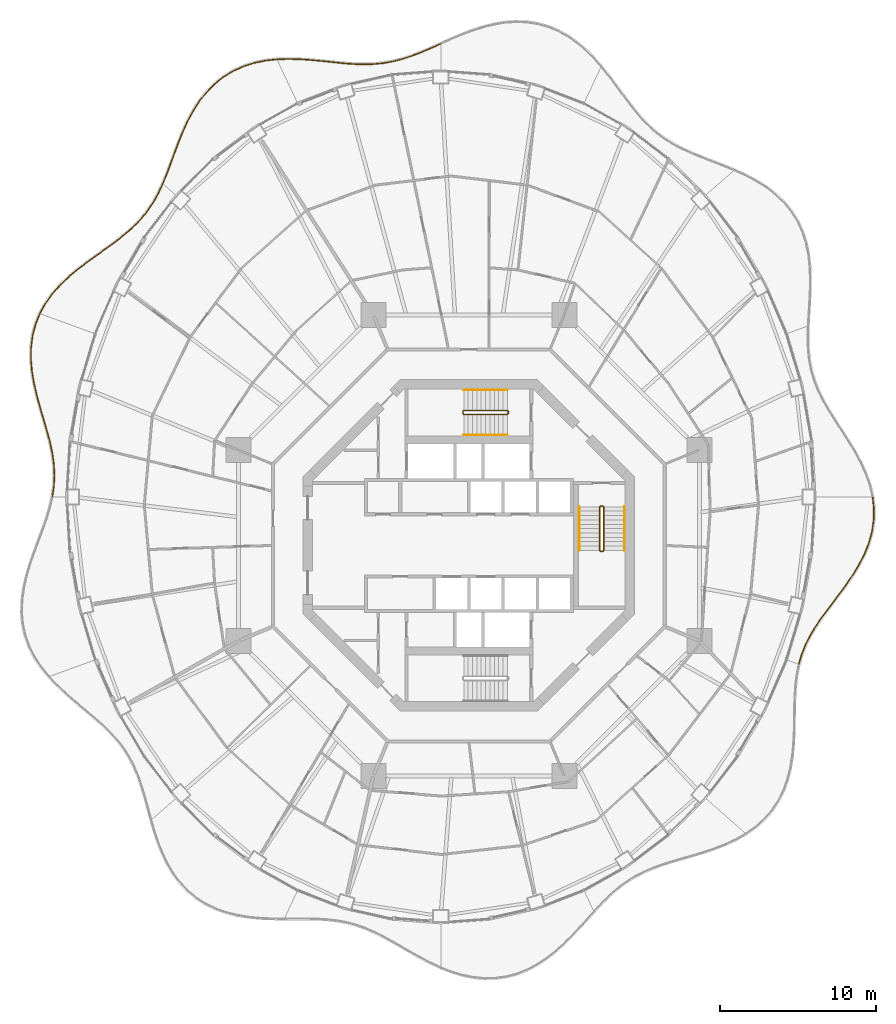
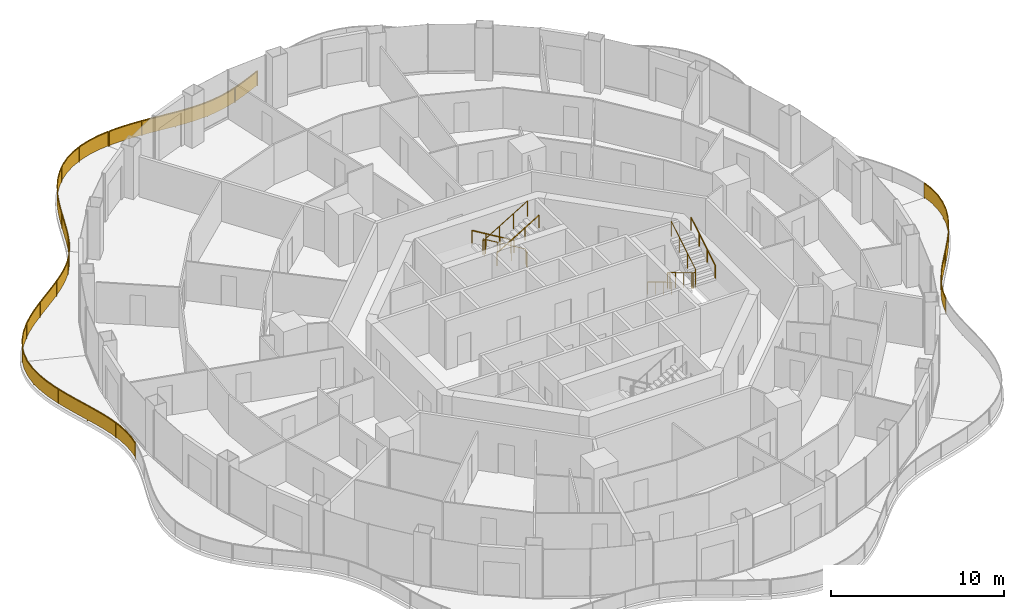
# One storey, part 17 of 18: 11 railings.
"""IFC4 building model written with IfcOpenShell, lengths in metres."""

from ifc_helpers import new_model, si_unit, direction, frame, origin, origin_2d, place, context, subcontext, project, spatial, polyline, rectangle, circle, outline, extrude, material, type_object, element, save


model = new_model("IFC4")

# Units and contexts
model_context = context("Model", 3, precision=1e-05, world=origin(), true_north=direction((0.0, 1.0)))
body_context = subcontext(model_context, "Body", "Model", "MODEL_VIEW")
ifc_project = project(units=[si_unit("LENGTHUNIT", "METRE"), si_unit("AREAUNIT", "SQUARE_METRE"), si_unit("VOLUMEUNIT", "CUBIC_METRE"), si_unit("PLANEANGLEUNIT", "RADIAN"), si_unit("MASSUNIT", "GRAM", prefix="KILO")], contexts=[model_context])

# Site, building, storey
site_placement = place(None, origin())
site = spatial("IfcSite", under=ifc_project, at=site_placement, CompositionType="ELEMENT")
building_placement = place(site_placement, origin())
building = spatial("IfcBuilding", under=site, at=building_placement, Name="Nagisa Residences", CompositionType="ELEMENT")
storey_placement = place(building_placement, frame((0.0, 0.0, 241.800048828125)))
storey = spatial("IfcBuildingStorey", under=building, at=storey_placement, Name="L61", CompositionType="ELEMENT", Elevation=241.800048828125)

# Railings
ifc_material_1 = material(Name="Stainless steel 316", Category="steel")
railing_type_1 = type_object("IfcRailingType", Name="BALCONY GUARD 1100", PredefinedType="BALUSTRADE", material=ifc_material_1)
railing_1_placement = place(storey_placement, frame((-1.833984375, 32.159423828125, 0.0)))
element("IfcRailing", 1, at=railing_1_placement, inside=storey, type_object=railing_type_1, Name="guard:L61:bal04-0", PredefinedType="BALUSTRADE", context=body_context, shape_type="SweptSolid", body=[
    extrude(outline(polyline([(-0.584716796875, -0.290283203125), (0.01025390625, -0.022705078125), (-0.01025390625, 0.022705078125), (-0.604736328125, -0.244384765625), (-1.227783203125, -0.509521484375), (-1.839599609375, -0.745361328125), (-2.4453125, -0.943603515625), (-3.04931640625, -1.097900390625), (-3.639404296875, -1.203369140625), (-4.256103515625, -1.265380859375), (-4.885986328125, -1.28369140625), (-5.532958984375, -1.26513671875), (-6.198486328125, -1.217529296875), (-6.86669921875, -1.145751953125), (-7.570068359375, -1.072509765625), (-8.28857421875, -1.005126953125), (-9.017333984375, -0.956787109375), (-9.751220703125, -0.93994140625), (-10.434814453125, -0.96240234375), (-10.433349609375, -1.01220703125), (-9.750732421875, -0.990234375), (-9.019775390625, -1.006591796875), (-8.29248046875, -1.054931640625), (-7.574951171875, -1.122314453125), (-6.8720703125, -1.195556640625), (-6.202880859375, -1.267333984375), (-5.535400390625, -1.31494140625), (-4.885986328125, -1.333984375), (-4.252685546875, -1.315185546875), (-3.632568359375, -1.253173828125), (-3.03857421875, -1.146728515625), (-2.43115234375, -0.991455078125), (-1.822998046875, -0.792724609375), (-1.208740234375, -0.555908203125), (-0.584716796875, -0.290283203125)])), frame((0.0, 0.0, 1.050048828125)), (0.0, 0.0, 1.0), 0.050048828125),
    extrude(outline(polyline([(-0.592041015625, -0.273681640625), (0.0029296875, -0.00634765625), (-0.0029296875, 0.00634765625), (-0.597412109375, -0.260986328125), (-1.220947265625, -0.526123046875), (-1.833740234375, -0.762451171875), (-2.440185546875, -0.960693359375), (-3.04541015625, -1.115478515625), (-3.636962890625, -1.221435546875), (-4.2548828125, -1.283203125), (-4.885986328125, -1.3017578125), (-5.533935546875, -1.282958984375), (-6.199951171875, -1.2353515625), (-6.86865234375, -1.16357421875), (-7.57177734375, -1.09033203125), (-8.2900390625, -1.02294921875), (-9.018310546875, -0.974609375), (-9.7509765625, -0.9580078125), (-10.434326171875, -0.980224609375), (-10.433837890625, -0.994384765625), (-9.7509765625, -0.97216796875), (-9.018798828125, -0.98876953125), (-8.291015625, -1.037109375), (-7.5732421875, -1.1044921875), (-6.8701171875, -1.177734375), (-6.201416015625, -1.24951171875), (-5.534423828125, -1.297119140625), (-4.885986328125, -1.31591796875), (-4.25390625, -1.29736328125), (-3.635009765625, -1.235107421875), (-3.04248046875, -1.129150390625), (-2.436279296875, -0.974365234375), (-1.828857421875, -0.775634765625), (-1.215576171875, -0.539306640625), (-0.592041015625, -0.273681640625)])), frame((0.0, 0.0, 0.06005859375)), (0.0, 0.0, 1.0), 0.989990234375),
    extrude(rectangle(XDim=0.0400390625, YDim=0.0400390625, at=origin_2d()), origin(), (0.0, 0.0, 1.0), 1.050048828125),
    extrude(rectangle(XDim=0.0400390625, YDim=0.0400390625, at=origin_2d()), frame((-1.970947265625, -0.814697265625, 0.0)), (0.0, 0.0, 1.0), 1.050048828125),
    extrude(rectangle(XDim=0.0400390625, YDim=0.0400390625, at=origin_2d()), frame((-4.04931640625, -1.269775390625, 0.0)), (0.0, 0.0, 1.0), 1.050048828125),
    extrude(rectangle(XDim=0.0400390625, YDim=0.0400390625, at=origin_2d()), frame((-6.1796875, -1.243896484375, 0.0)), (0.0, 0.0, 1.0), 1.050048828125),
    extrude(rectangle(XDim=0.0400390625, YDim=0.0400390625, at=origin_2d()), frame((-8.302490234375, -1.029296875, 0.0)), (0.0, 0.0, 1.0), 1.050048828125),
    extrude(rectangle(XDim=0.0400390625, YDim=0.0400390625, at=origin_2d()), frame((-10.43408203125, -0.9873046875, 0.0)), (0.0, 0.0, 1.0), 1.050048828125),
])
railing_2_placement = place(storey_placement, frame((-12.34521484375, 31.16748046875, 0.0)))
element("IfcRailing", 2, at=railing_2_placement, inside=storey, type_object=railing_type_1, Name="guard:L61:bal05-0", PredefinedType="BALUSTRADE", context=body_context, shape_type="SweptSolid", body=[
    extrude(outline(polyline([(-0.69580078125, -0.100830078125), (0.002685546875, -0.02490234375), (-0.002685546875, 0.02490234375), (-0.70361328125, -0.051513671875), (-1.431396484375, -0.202392578125), (-2.1298828125, -0.426025390625), (-2.790771484375, -0.725830078125), (-3.40478515625, -1.100341796875), (-3.95947265625, -1.5419921875), (-4.47265625, -2.05810546875), (-4.931640625, -2.63330078125), (-5.33837890625, -3.256591796875), (-5.697021484375, -3.917236328125), (-6.002197265625, -4.59130859375), (-6.286376953125, -5.28759765625), (-6.54833984375, -5.983642578125), (-6.79833984375, -6.66845703125), (-7.048583984375, -7.332763671875), (-7.292236328125, -7.92919921875), (-7.245849609375, -7.9482421875), (-7.002197265625, -7.350830078125), (-6.75146484375, -6.68603515625), (-6.50146484375, -6.001220703125), (-6.239990234375, -5.3056640625), (-5.956298828125, -4.611328125), (-5.652099609375, -3.939697265625), (-5.29541015625, -3.282470703125), (-4.89111328125, -2.66259765625), (-4.43505859375, -2.09130859375), (-3.92626953125, -1.5791015625), (-3.3759765625, -1.141357421875), (-2.767333984375, -0.770263671875), (-2.11181640625, -0.472900390625), (-1.418701171875, -0.250732421875), (-0.69580078125, -0.100830078125)])), frame((0.0, 0.0, 1.050048828125)), (0.0, 0.0, 1.0), 0.050048828125),
    extrude(outline(polyline([(-0.69873046875, -0.0830078125), (0.000732421875, -0.007080078125), (-0.000732421875, 0.007080078125), (-0.70068359375, -0.0693359375), (-1.4267578125, -0.2197265625), (-2.123291015625, -0.44287109375), (-2.7822265625, -0.741943359375), (-3.394287109375, -1.114990234375), (-3.947509765625, -1.555419921875), (-4.458984375, -2.070068359375), (-4.9169921875, -2.643798828125), (-5.322998046875, -3.265869140625), (-5.680908203125, -3.92529296875), (-5.985595703125, -4.5986328125), (-6.269775390625, -5.294189453125), (-6.531494140625, -5.989990234375), (-6.781494140625, -6.6748046875), (-7.031982421875, -7.33935546875), (-7.275634765625, -7.93603515625), (-7.262451171875, -7.94140625), (-7.018798828125, -7.34423828125), (-6.768310546875, -6.6796875), (-6.518310546875, -5.994873046875), (-6.256591796875, -5.299072265625), (-5.972900390625, -4.60400390625), (-5.668212890625, -3.931640625), (-5.310791015625, -3.273193359375), (-4.90576171875, -2.652099609375), (-4.44873046875, -2.079345703125), (-3.938232421875, -1.565673828125), (-3.386474609375, -1.126708984375), (-2.77587890625, -0.754150390625), (-2.118408203125, -0.4560546875), (-1.42333984375, -0.2333984375), (-0.69873046875, -0.0830078125)])), frame((0.0, 0.0, 0.06005859375)), (0.0, 0.0, 1.0), 0.989990234375),
    extrude(rectangle(XDim=0.0400390625, YDim=0.0400390625, at=origin_2d()), origin(), (0.0, 0.0, 1.0), 1.050048828125),
    extrude(rectangle(XDim=0.0400390625, YDim=0.0400390625, at=origin_2d()), frame((-2.25048828125, -0.50830078125, 0.0)), (0.0, 0.0, 1.0), 1.050048828125),
    extrude(rectangle(XDim=0.0400390625, YDim=0.0400390625, at=origin_2d()), frame((-4.164794921875, -1.783935546875, 0.0)), (0.0, 0.0, 1.0), 1.050048828125),
    extrude(rectangle(XDim=0.0400390625, YDim=0.0400390625, at=origin_2d()), frame((-5.52294921875, -3.64892578125, 0.0)), (0.0, 0.0, 1.0), 1.050048828125),
    extrude(rectangle(XDim=0.0400390625, YDim=0.0400390625, at=origin_2d()), frame((-6.442626953125, -5.77392578125, 0.0)), (0.0, 0.0, 1.0), 1.050048828125),
    extrude(rectangle(XDim=0.0400390625, YDim=0.0400390625, at=origin_2d()), frame((-7.26904296875, -7.938720703125, 0.0)), (0.0, 0.0, 1.0), 1.050048828125),
])
railing_3_placement = place(storey_placement, frame((-19.6416015625, 23.161376953125, 0.0)))
element("IfcRailing", 3, at=railing_3_placement, inside=storey, type_object=railing_type_1, Name="guard:L61:bal06-0", PredefinedType="BALUSTRADE", context=body_context, shape_type="SweptSolid", body=[
    extrude(outline(polyline([(-0.257080078125, -0.60546875), (0.022705078125, -0.0107421875), (-0.022705078125, 0.0107421875), (-0.301513671875, -0.58251953125), (-0.634033203125, -1.174560546875), (-1.00927734375, -1.7275390625), (-1.43212890625, -2.243896484375), (-1.904541015625, -2.728759765625), (-2.416259765625, -3.1767578125), (-2.97900390625, -3.621826171875), (-3.575927734375, -4.060546875), (-4.195068359375, -4.502685546875), (-4.82275390625, -4.957275390625), (-5.43701171875, -5.419921875), (-6.034912109375, -5.923828125), (-6.59326171875, -6.460693359375), (-7.09765625, -7.0341796875), (-7.535400390625, -7.6455078125), (-7.872802734375, -8.25146484375), (-7.828857421875, -8.27587890625), (-7.492919921875, -7.67236328125), (-7.05859375, -7.0654296875), (-6.55712890625, -6.495361328125), (-6.001220703125, -5.9609375), (-5.40576171875, -5.458984375), (-4.79296875, -4.997314453125), (-4.165771484375, -4.543212890625), (-3.546630859375, -4.10107421875), (-2.94873046875, -3.661865234375), (-2.384033203125, -3.21533203125), (-1.869873046875, -2.764892578125), (-1.39453125, -2.277099609375), (-0.96923828125, -1.75732421875), (-0.591552734375, -1.200927734375), (-0.257080078125, -0.60546875)])), frame((0.0, 0.0, 1.050048828125)), (0.0, 0.0, 1.0), 0.050048828125),
    extrude(outline(polyline([(-0.27294921875, -0.59716796875), (0.00634765625, -0.0029296875), (-0.00634765625, 0.0029296875), (-0.28564453125, -0.5908203125), (-0.61865234375, -1.18408203125), (-0.994873046875, -1.73828125), (-1.41845703125, -2.255859375), (-1.89208984375, -2.74169921875), (-2.404541015625, -3.190673828125), (-2.968017578125, -3.63623046875), (-3.5654296875, -4.0751953125), (-4.1845703125, -4.517333984375), (-4.81201171875, -4.9716796875), (-5.42578125, -5.43408203125), (-6.022705078125, -5.937255859375), (-6.580322265625, -6.47314453125), (-7.08349609375, -7.04541015625), (-7.52001953125, -7.6552734375), (-7.85693359375, -8.26025390625), (-7.8447265625, -8.26708984375), (-7.50830078125, -7.66259765625), (-7.07275390625, -7.05419921875), (-6.570068359375, -6.48291015625), (-6.013427734375, -5.947509765625), (-5.4169921875, -5.44482421875), (-4.8037109375, -4.98291015625), (-4.17626953125, -4.528564453125), (-3.55712890625, -4.08642578125), (-2.959716796875, -3.6474609375), (-2.395751953125, -3.201416015625), (-1.88232421875, -2.751953125), (-1.408203125, -2.26513671875), (-0.983642578125, -1.74658203125), (-0.60693359375, -1.19140625), (-0.27294921875, -0.59716796875)])), frame((0.0, 0.0, 0.06005859375)), (0.0, 0.0, 1.0), 0.989990234375),
    extrude(rectangle(XDim=0.0400390625, YDim=0.0400390625, at=origin_2d()), origin(), (0.0, 0.0, 1.0), 1.050048828125),
    extrude(rectangle(XDim=0.0400390625, YDim=0.0400390625, at=origin_2d()), frame((-1.181640625, -1.9775390625, 0.0)), (0.0, 0.0, 1.0), 1.050048828125),
    extrude(rectangle(XDim=0.0400390625, YDim=0.0400390625, at=origin_2d()), frame((-2.85888671875, -3.558837890625, 0.0)), (0.0, 0.0, 1.0), 1.050048828125),
    extrude(rectangle(XDim=0.0400390625, YDim=0.0400390625, at=origin_2d()), frame((-4.727783203125, -4.919189453125, 0.0)), (0.0, 0.0, 1.0), 1.050048828125),
    extrude(rectangle(XDim=0.0400390625, YDim=0.0400390625, at=origin_2d()), frame((-6.496826171875, -6.402587890625, 0.0)), (0.0, 0.0, 1.0), 1.050048828125),
    extrude(rectangle(XDim=0.0400390625, YDim=0.0400390625, at=origin_2d()), frame((-7.850830078125, -8.263671875, 0.0)), (0.0, 0.0, 1.0), 1.050048828125),
])
railing_4_placement = place(storey_placement, frame((-27.52587890625, 14.827880859375, 0.0)))
element("IfcRailing", 4, at=railing_4_placement, inside=storey, type_object=railing_type_1, Name="guard:L61:bal07-0", PredefinedType="BALUSTRADE", context=body_context, shape_type="SweptSolid", body=[
    extrude(outline(polyline([(-0.24072265625, -0.666259765625), (0.023193359375, -0.00927734375), (-0.023193359375, 0.00927734375), (-0.28857421875, -0.650634765625), (-0.47705078125, -1.385498046875), (-0.57275390625, -2.144775390625), (-0.5810546875, -2.9208984375), (-0.511474609375, -3.706298828125), (-0.3740234375, -4.48046875), (-0.191650390625, -5.26318359375), (0.020751953125, -6.035888671875), (0.244140625, -6.794677734375), (0.459228515625, -7.537353515625), (0.650146484375, -8.249267578125), (0.798095703125, -8.958984375), (0.892578125, -9.656005859375), (0.9248046875, -10.343994140625), (0.89111328125, -11.027587890625), (0.797607421875, -11.671875), (0.846923828125, -11.67919921875), (0.94091796875, -11.032470703125), (0.97509765625, -10.343994140625), (0.9423828125, -9.651611328125), (0.847412109375, -8.95068359375), (0.698974609375, -8.237548828125), (0.507568359375, -7.523681640625), (0.2919921875, -6.780517578125), (0.069091796875, -6.022216796875), (-0.143310546875, -5.2509765625), (-0.3251953125, -4.47021484375), (-0.461669921875, -3.699951171875), (-0.53076171875, -2.9189453125), (-0.52294921875, -2.148193359375), (-0.427734375, -1.394775390625), (-0.24072265625, -0.666259765625)])), frame((0.0, 0.0, 1.050048828125)), (0.0, 0.0, 1.0), 0.050048828125),
    extrude(outline(polyline([(-0.258056640625, -0.66064453125), (0.006591796875, -0.002685546875), (-0.006591796875, 0.002685546875), (-0.271240234375, -0.65625), (-0.459228515625, -1.388916015625), (-0.554931640625, -2.14599609375), (-0.56298828125, -2.920166015625), (-0.493408203125, -3.7041015625), (-0.3564453125, -4.476806640625), (-0.17431640625, -5.2587890625), (0.0380859375, -6.031005859375), (0.26123046875, -6.78955078125), (0.4765625, -7.532470703125), (0.667724609375, -8.2451171875), (0.81591796875, -8.9560546875), (0.910400390625, -9.654541015625), (0.94287109375, -10.343994140625), (0.908935546875, -11.029296875), (0.8154296875, -11.674560546875), (0.8291015625, -11.676513671875), (0.923095703125, -11.03076171875), (0.95703125, -10.343994140625), (0.924560546875, -9.653076171875), (0.82958984375, -8.95361328125), (0.681396484375, -8.24169921875), (0.490234375, -7.528564453125), (0.27490234375, -6.78564453125), (0.0517578125, -6.027099609375), (-0.16064453125, -5.25537109375), (-0.3427734375, -4.473876953125), (-0.479736328125, -3.7021484375), (-0.548828125, -2.919677734375), (-0.540771484375, -2.14697265625), (-0.445556640625, -1.391357421875), (-0.258056640625, -0.66064453125)])), frame((0.0, 0.0, 0.06005859375)), (0.0, 0.0, 1.0), 0.989990234375),
    extrude(rectangle(XDim=0.0400390625, YDim=0.0400390625, at=origin_2d()), origin(), (0.0, 0.0, 1.0), 1.050048828125),
    extrude(rectangle(XDim=0.0400390625, YDim=0.0400390625, at=origin_2d()), frame((-0.549560546875, -2.306884765625, 0.0)), (0.0, 0.0, 1.0), 1.050048828125),
    extrude(rectangle(XDim=0.0400390625, YDim=0.0400390625, at=origin_2d()), frame((-0.30322265625, -4.67431640625, 0.0)), (0.0, 0.0, 1.0), 1.050048828125),
    extrude(rectangle(XDim=0.0400390625, YDim=0.0400390625, at=origin_2d()), frame((0.3232421875, -6.977783203125, 0.0)), (0.0, 0.0, 1.0), 1.050048828125),
    extrude(rectangle(XDim=0.0400390625, YDim=0.0400390625, at=origin_2d()), frame((0.869384765625, -9.29931640625, 0.0)), (0.0, 0.0, 1.0), 1.050048828125),
    extrude(rectangle(XDim=0.0400390625, YDim=0.0400390625, at=origin_2d()), frame((0.822265625, -11.675537109375, 0.0)), (0.0, 0.0, 1.0), 1.050048828125),
])
railing_5_placement = place(storey_placement, frame((21.164794921875, -7.592041015625, 0.0)))
element("IfcRailing", 5, at=railing_5_placement, inside=storey, type_object=railing_type_1, Name="guard:L61:bal15-0", PredefinedType="BALUSTRADE", context=body_context, shape_type="SweptSolid", body=[
    extrude(outline(polyline([(0.161376953125, 0.62841796875), (-0.02392578125, 0.007080078125), (0.02392578125, -0.007080078125), (0.208740234375, 0.61181640625), (0.467041015625, 1.24853515625), (0.787109375, 1.87060546875), (1.163818359375, 2.48388671875), (1.587158203125, 3.095458984375), (2.04150390625, 3.698486328125), (2.5166015625, 4.326416015625), (2.991455078125, 4.969970703125), (3.446533203125, 5.632080078125), (3.863037109375, 6.315185546875), (4.2216796875, 7.004638671875), (4.509521484375, 7.72705078125), (4.712890625, 8.46484375), (4.822998046875, 9.21337890625), (4.83544921875, 9.96728515625), (4.75537109375, 10.674072265625), (4.70556640625, 10.668212890625), (4.78515625, 9.96484375), (4.773193359375, 9.21728515625), (4.6640625, 8.47509765625), (4.462158203125, 7.7431640625), (4.17626953125, 7.025634765625), (3.819580078125, 6.339599609375), (3.404541015625, 5.659423828125), (2.950439453125, 4.998779296875), (2.4765625, 4.356201171875), (2.00146484375, 3.728759765625), (1.546630859375, 3.124755859375), (1.121826171875, 2.51123046875), (0.74365234375, 1.89501953125), (0.421630859375, 1.26953125), (0.161376953125, 0.62841796875)])), frame((0.0, 0.0, 1.050048828125)), (0.0, 0.0, 1.0), 0.050048828125),
    extrude(outline(polyline([(0.178466796875, 0.62255859375), (-0.006591796875, 0.001953125), (0.006591796875, -0.001953125), (0.191650390625, 0.61767578125), (0.45068359375, 1.256103515625), (0.771484375, 1.87939453125), (1.148681640625, 2.49365234375), (1.572509765625, 3.10595703125), (2.027099609375, 3.70947265625), (2.502197265625, 4.337158203125), (2.9765625, 4.980224609375), (3.431396484375, 5.641845703125), (3.847412109375, 6.323974609375), (4.205322265625, 7.01220703125), (4.492431640625, 7.73291015625), (4.6953125, 8.468505859375), (4.80517578125, 9.21484375), (4.8173828125, 9.96630859375), (4.7373046875, 10.671875), (4.7236328125, 10.67041015625), (4.80322265625, 9.9658203125), (4.791015625, 9.2158203125), (4.681640625, 8.471435546875), (4.479248046875, 7.7373046875), (4.192626953125, 7.01806640625), (3.835205078125, 6.330810546875), (3.419677734375, 5.649658203125), (2.96533203125, 4.988525390625), (2.490966796875, 4.345458984375), (2.015869140625, 3.7177734375), (1.561279296875, 3.1142578125), (1.136962890625, 2.50146484375), (0.75927734375, 1.88623046875), (0.43798828125, 1.261962890625), (0.178466796875, 0.62255859375)])), frame((0.0, 0.0, 0.06005859375)), (0.0, 0.0, 1.0), 0.989990234375),
    extrude(rectangle(XDim=0.0400390625, YDim=0.0400390625, at=origin_2d()), origin(), (0.0, 0.0, 1.0), 1.050048828125),
    extrude(rectangle(XDim=0.0400390625, YDim=0.0400390625, at=origin_2d()), frame((0.951904296875, 2.186767578125, 0.0)), (0.0, 0.0, 1.0), 1.050048828125),
    extrude(rectangle(XDim=0.0400390625, YDim=0.0400390625, at=origin_2d()), frame((2.341064453125, 4.1357421875, 0.0)), (0.0, 0.0, 1.0), 1.050048828125),
    extrude(rectangle(XDim=0.0400390625, YDim=0.0400390625, at=origin_2d()), frame((3.704345703125, 6.102783203125, 0.0)), (0.0, 0.0, 1.0), 1.050048828125),
    extrude(rectangle(XDim=0.0400390625, YDim=0.0400390625, at=origin_2d()), frame((4.640380859375, 8.29541015625, 0.0)), (0.0, 0.0, 1.0), 1.050048828125),
    extrude(rectangle(XDim=0.0400390625, YDim=0.0400390625, at=origin_2d()), frame((4.73046875, 10.671142578125, 0.0)), (0.0, 0.0, 1.0), 1.050048828125),
])
ifc_material_2 = material(Name="Stainless steel", Category="steel")
railing_type_2 = type_object("IfcRailingType", Name="Stair guard 1100", PredefinedType="GUARDRAIL", material=ifc_material_2)
railing_6_placement = place(storey_placement, frame((8.599609375, 2.52490234375, 0.0)))
element("IfcRailing", 6, at=railing_6_placement, inside=storey, type_object=railing_type_2, Name="L61 ST-E stair guard 1", PredefinedType="GUARDRAIL", context=body_context, shape_type="SweptSolid", body=[
    extrude(circle(Radius=0.02392578125, at=origin_2d()), frame((0.0, 0.0, 1.076171875), z_axis=(-1.0, 0.0, 0.0), x_axis=(0.0, -1.0, 0.0)), (0.0, 0.0, 1.0), 0.14990234375),
    extrude(circle(Radius=0.02392578125, at=origin_2d()), frame((-0.14990234375, 0.0, 1.076171875), z_axis=(-0.27434429532, -0.273006030465, 0.922064485248), x_axis=(0.705375805398, -0.708833529934, 0.0)), (0.0, 0.0, 1.0), 0.182373046875),
    extrude(circle(Radius=0.02392578125, at=origin_2d()), frame((-0.199951171875, -0.0498046875, 1.244140625), z_axis=(0.0, -0.857275202839, 0.514858452973), x_axis=(1.0, 0.0, 0.0)), (0.0, 0.0, 1.0), 3.26611328125),
    extrude(circle(Radius=0.02392578125, at=origin_2d()), frame((-0.199951171875, -2.849853515625, 2.92578125), z_axis=(0.707106781187, -0.707106781187, 0.0), x_axis=(0.707106781187, 0.707106781187, 0.0)), (0.0, 0.0, 1.0), 0.07080078125),
    extrude(circle(Radius=0.02392578125, at=origin_2d()), frame((-0.14990234375, -2.89990234375, 2.92578125), z_axis=(1.0, 0.0, 0.0), x_axis=(0.0, 1.0, 0.0)), (0.0, 0.0, 1.0), 0.14990234375),
    extrude(circle(Radius=0.02392578125, at=origin_2d()), frame((0.0, -2.89990234375, 2.92578125), z_axis=(0.274243871929, 0.274243871929, 0.92172696468), x_axis=(-0.707106781187, 0.707106781187, 0.0)), (0.0, 0.0, 1.0), 0.1826171875),
    extrude(circle(Radius=0.02392578125, at=origin_2d()), frame((0.050048828125, -2.849853515625, 3.09423828125), z_axis=(0.0, 0.857242210791, 0.514913383045), x_axis=(-1.0, 0.0, 0.0)), (0.0, 0.0, 1.0), 3.266357421875),
    extrude(circle(Radius=0.02099609375, at=origin_2d()), origin(), (0.0, 0.0, 1.0), 1.052001953125),
    extrude(circle(Radius=0.02099609375, at=origin_2d()), frame((-0.14990234375, 0.0, 0.0)), (0.0, 0.0, 1.0), 1.052001953125),
    extrude(circle(Radius=0.02099609375, at=origin_2d()), frame((-0.199951171875, -0.0498046875, 0.168212890625)), (0.0, 0.0, 1.0), 1.052001953125),
    extrude(circle(Radius=0.02099609375, at=origin_2d()), frame((-0.199951171875, -0.983154296875, 0.728759765625)), (0.0, 0.0, 1.0), 1.052001953125),
    extrude(circle(Radius=0.02099609375, at=origin_2d()), frame((-0.199951171875, -1.91650390625, 1.289306640625)), (0.0, 0.0, 1.0), 1.052001953125),
    extrude(circle(Radius=0.02099609375, at=origin_2d()), frame((-0.199951171875, -2.849853515625, 1.849853515625)), (0.0, 0.0, 1.0), 1.052001953125),
    extrude(circle(Radius=0.02099609375, at=origin_2d()), frame((-0.14990234375, -2.89990234375, 1.849853515625)), (0.0, 0.0, 1.0), 1.052001953125),
    extrude(circle(Radius=0.02099609375, at=origin_2d()), frame((0.0, -2.89990234375, 1.849853515625)), (0.0, 0.0, 1.0), 1.052001953125),
    extrude(circle(Radius=0.02099609375, at=origin_2d()), frame((0.050048828125, -2.849853515625, 2.01806640625)), (0.0, 0.0, 1.0), 1.052001953125),
    extrude(circle(Radius=0.02099609375, at=origin_2d()), frame((0.050048828125, -1.91650390625, 2.57861328125)), (0.0, 0.0, 1.0), 1.052001953125),
    extrude(circle(Radius=0.02099609375, at=origin_2d()), frame((0.050048828125, -0.983154296875, 3.139404296875)), (0.0, 0.0, 1.0), 1.052001953125),
    extrude(circle(Radius=0.02099609375, at=origin_2d()), frame((0.050048828125, -0.0498046875, 3.699951171875)), (0.0, 0.0, 1.0), 1.052001953125),
])
railing_7_placement = place(storey_placement, frame((2.52490234375, 8.44970703125, 0.0)))
element("IfcRailing", 7, at=railing_7_placement, inside=storey, type_object=railing_type_2, Name="L61 ST-N stair guard 1", PredefinedType="GUARDRAIL", context=body_context, shape_type="SweptSolid", body=[
    extrude(circle(Radius=0.02392578125, at=origin_2d()), frame((0.0, 0.0, 1.076171875), z_axis=(0.0, 1.0, 0.0), x_axis=(-1.0, 0.0, 0.0)), (0.0, 0.0, 1.0), 0.14990234375),
    extrude(circle(Radius=0.02392578125, at=origin_2d()), frame((0.0, 0.14990234375, 1.076171875), z_axis=(-0.273006030465, 0.27434429532, 0.922064485248), x_axis=(-0.708833529934, -0.705375805398, 0.0)), (0.0, 0.0, 1.0), 0.182373046875),
    extrude(circle(Radius=0.02392578125, at=origin_2d()), frame((-0.0498046875, 0.199951171875, 1.244140625), z_axis=(-0.857275202839, 0.0, 0.514858452973), x_axis=(0.0, -1.0, 0.0)), (0.0, 0.0, 1.0), 3.26611328125),
    extrude(circle(Radius=0.02392578125, at=origin_2d()), frame((-2.849853515625, 0.199951171875, 2.92578125), z_axis=(-0.707106781187, -0.707106781187, 0.0), x_axis=(0.707106781187, -0.707106781187, 0.0)), (0.0, 0.0, 1.0), 0.07080078125),
    extrude(circle(Radius=0.02392578125, at=origin_2d()), frame((-2.89990234375, 0.14990234375, 2.92578125), z_axis=(0.0, -1.0, 0.0), x_axis=(1.0, 0.0, 0.0)), (0.0, 0.0, 1.0), 0.14990234375),
    extrude(circle(Radius=0.02392578125, at=origin_2d()), frame((-2.89990234375, 0.0, 2.92578125), z_axis=(0.274243871929, -0.274243871929, 0.92172696468), x_axis=(0.707106781187, 0.707106781187, 0.0)), (0.0, 0.0, 1.0), 0.1826171875),
    extrude(circle(Radius=0.02392578125, at=origin_2d()), frame((-2.849853515625, -0.050048828125, 3.09423828125), z_axis=(0.857242210791, 0.0, 0.514913383045), x_axis=(0.0, 1.0, 0.0)), (0.0, 0.0, 1.0), 3.266357421875),
    extrude(circle(Radius=0.02099609375, at=origin_2d()), origin(), (0.0, 0.0, 1.0), 1.052001953125),
    extrude(circle(Radius=0.02099609375, at=origin_2d()), frame((0.0, 0.14990234375, 0.0)), (0.0, 0.0, 1.0), 1.052001953125),
    extrude(circle(Radius=0.02099609375, at=origin_2d()), frame((-0.0498046875, 0.199951171875, 0.168212890625)), (0.0, 0.0, 1.0), 1.052001953125),
    extrude(circle(Radius=0.02099609375, at=origin_2d()), frame((-0.983154296875, 0.199951171875, 0.728759765625)), (0.0, 0.0, 1.0), 1.052001953125),
    extrude(circle(Radius=0.02099609375, at=origin_2d()), frame((-1.91650390625, 0.199951171875, 1.289306640625)), (0.0, 0.0, 1.0), 1.052001953125),
    extrude(circle(Radius=0.02099609375, at=origin_2d()), frame((-2.849853515625, 0.199951171875, 1.849853515625)), (0.0, 0.0, 1.0), 1.052001953125),
    extrude(circle(Radius=0.02099609375, at=origin_2d()), frame((-2.89990234375, 0.14990234375, 1.849853515625)), (0.0, 0.0, 1.0), 1.052001953125),
    extrude(circle(Radius=0.02099609375, at=origin_2d()), frame((-2.89990234375, 0.0, 1.849853515625)), (0.0, 0.0, 1.0), 1.052001953125),
    extrude(circle(Radius=0.02099609375, at=origin_2d()), frame((-2.849853515625, -0.050048828125, 2.01806640625)), (0.0, 0.0, 1.0), 1.052001953125),
    extrude(circle(Radius=0.02099609375, at=origin_2d()), frame((-1.91650390625, -0.050048828125, 2.57861328125)), (0.0, 0.0, 1.0), 1.052001953125),
    extrude(circle(Radius=0.02099609375, at=origin_2d()), frame((-0.983154296875, -0.050048828125, 3.139404296875)), (0.0, 0.0, 1.0), 1.052001953125),
    extrude(circle(Radius=0.02099609375, at=origin_2d()), frame((-0.0498046875, -0.050048828125, 3.699951171875)), (0.0, 0.0, 1.0), 1.052001953125),
])
ifc_material_3 = material(Name="Stainless steel", Category="steel")
railing_type_3 = type_object("IfcRailingType", Name="Stair handrail 900", PredefinedType="HANDRAIL", material=ifc_material_3)
railing_8_placement = place(storey_placement, frame((7.07470703125, 2.47509765625, 0.168212890625)))
element("IfcRailing", 8, at=railing_8_placement, inside=storey, type_object=railing_type_3, Name="L61 ST-E stair handrail 1", PredefinedType="HANDRAIL", context=body_context, shape_type="SweptSolid", body=[
    extrude(circle(Radius=0.02392578125, at=origin_2d()), frame((0.0, 0.0, 0.8759765625), z_axis=(0.0, -0.857275202839, 0.514858452973), x_axis=(1.0, 0.0, 0.0)), (0.0, 0.0, 1.0), 3.26611328125),
    extrude(circle(Radius=0.02099609375, at=origin_2d()), origin(), (0.0, 0.0, 1.0), 0.851806640625),
    extrude(circle(Radius=0.02099609375, at=origin_2d()), frame((0.0, -0.933349609375, 0.560546875)), (0.0, 0.0, 1.0), 0.851806640625),
    extrude(circle(Radius=0.02099609375, at=origin_2d()), frame((0.0, -1.86669921875, 1.12109375)), (0.0, 0.0, 1.0), 0.851806640625),
    extrude(circle(Radius=0.02099609375, at=origin_2d()), frame((0.0, -2.800048828125, 1.681640625)), (0.0, 0.0, 1.0), 0.851806640625),
])
railing_9_placement = place(storey_placement, frame((9.974609375, -0.324951171875, 2.01806640625)))
element("IfcRailing", 9, at=railing_9_placement, inside=storey, type_object=railing_type_3, Name="L61 ST-E stair handrail 2", PredefinedType="HANDRAIL", context=body_context, shape_type="SweptSolid", body=[
    extrude(circle(Radius=0.02392578125, at=origin_2d()), frame((0.0, 0.0, 0.8759765625), z_axis=(0.0, 0.857242210791, 0.514913383045), x_axis=(-1.0, 0.0, 0.0)), (0.0, 0.0, 1.0), 3.266357421875),
    extrude(circle(Radius=0.02099609375, at=origin_2d()), origin(), (0.0, 0.0, 1.0), 0.851806640625),
    extrude(circle(Radius=0.02099609375, at=origin_2d()), frame((0.0, 0.933349609375, 0.560546875)), (0.0, 0.0, 1.0), 0.851806640625),
    extrude(circle(Radius=0.02099609375, at=origin_2d()), frame((0.0, 1.86669921875, 1.121337890625)), (0.0, 0.0, 1.0), 0.851806640625),
    extrude(circle(Radius=0.02099609375, at=origin_2d()), frame((0.0, 2.800048828125, 1.681884765625)), (0.0, 0.0, 1.0), 0.851806640625),
])
railing_10_placement = place(storey_placement, frame((2.47509765625, 9.974609375, 0.168212890625)))
element("IfcRailing", 10, at=railing_10_placement, inside=storey, type_object=railing_type_3, Name="L61 ST-N stair handrail 1", PredefinedType="HANDRAIL", context=body_context, shape_type="SweptSolid", body=[
    extrude(circle(Radius=0.02392578125, at=origin_2d()), frame((0.0, 0.0, 0.8759765625), z_axis=(-0.857275202839, 0.0, 0.514858452973), x_axis=(0.0, -1.0, 0.0)), (0.0, 0.0, 1.0), 3.26611328125),
    extrude(circle(Radius=0.02099609375, at=origin_2d()), origin(), (0.0, 0.0, 1.0), 0.851806640625),
    extrude(circle(Radius=0.02099609375, at=origin_2d()), frame((-0.933349609375, 0.0, 0.560546875)), (0.0, 0.0, 1.0), 0.851806640625),
    extrude(circle(Radius=0.02099609375, at=origin_2d()), frame((-1.86669921875, 0.0, 1.12109375)), (0.0, 0.0, 1.0), 0.851806640625),
    extrude(circle(Radius=0.02099609375, at=origin_2d()), frame((-2.800048828125, 0.0, 1.681640625)), (0.0, 0.0, 1.0), 0.851806640625),
])
railing_11_placement = place(storey_placement, frame((-0.324951171875, 7.07470703125, 2.01806640625)))
element("IfcRailing", 11, at=railing_11_placement, inside=storey, type_object=railing_type_3, Name="L61 ST-N stair handrail 2", PredefinedType="HANDRAIL", context=body_context, shape_type="SweptSolid", body=[
    extrude(circle(Radius=0.02392578125, at=origin_2d()), frame((0.0, 0.0, 0.8759765625), z_axis=(0.857242210791, 0.0, 0.514913383045), x_axis=(0.0, 1.0, 0.0)), (0.0, 0.0, 1.0), 3.266357421875),
    extrude(circle(Radius=0.02099609375, at=origin_2d()), origin(), (0.0, 0.0, 1.0), 0.851806640625),
    extrude(circle(Radius=0.02099609375, at=origin_2d()), frame((0.933349609375, 0.0, 0.560546875)), (0.0, 0.0, 1.0), 0.851806640625),
    extrude(circle(Radius=0.02099609375, at=origin_2d()), frame((1.86669921875, 0.0, 1.121337890625)), (0.0, 0.0, 1.0), 0.851806640625),
    extrude(circle(Radius=0.02099609375, at=origin_2d()), frame((2.800048828125, 0.0, 1.681884765625)), (0.0, 0.0, 1.0), 0.851806640625),
])

save(model, "model.ifc")
